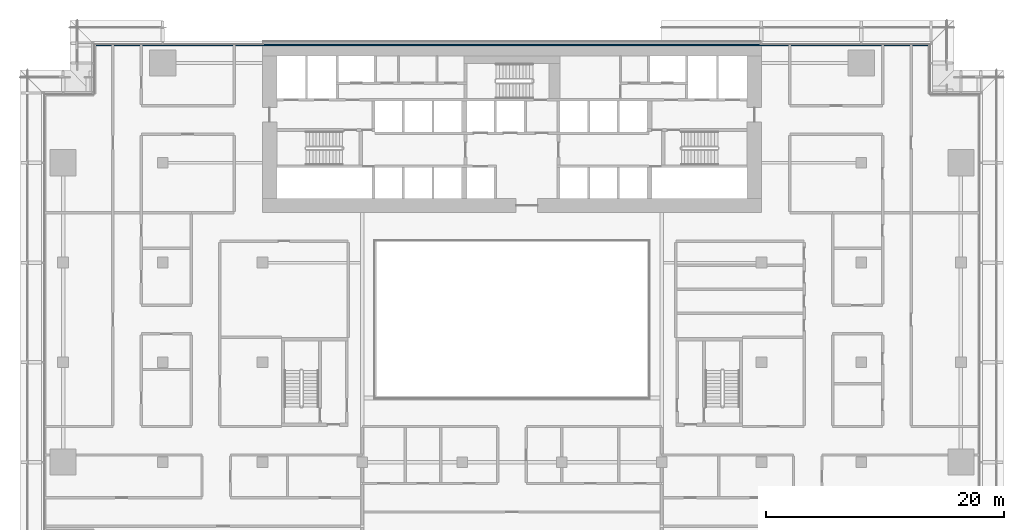
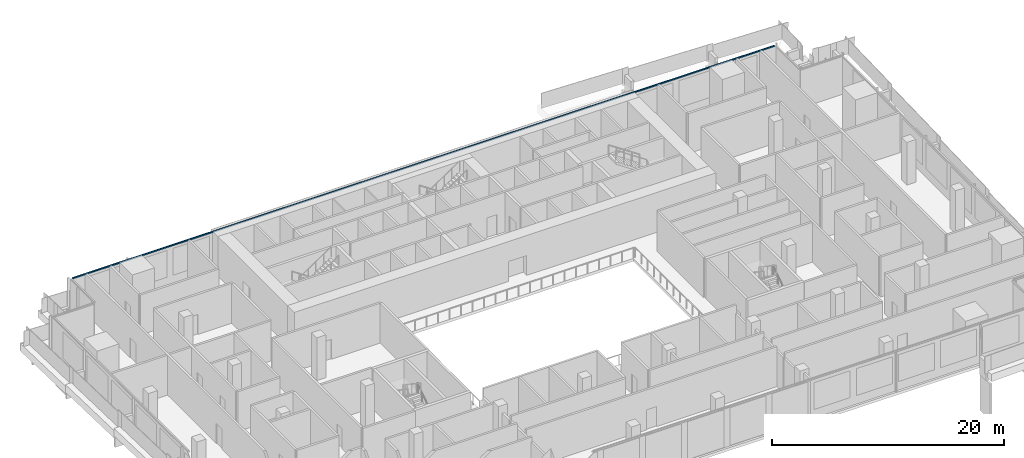
# One storey, part 7 of 23: 1 member, 1 element without a shape of its own.
"""IFC4 building model written with IfcOpenShell, lengths in metres."""

from ifc_helpers import new_model, si_unit, direction, frame, origin, origin_2d, place, context, subcontext, project, spatial, rectangle, extrude, material, material_profile, profile_set, type_object, element, aggregate, save


model = new_model("IFC4")

# Units and contexts
model_context = context("Model", 3, precision=1e-05, world=origin(), true_north=direction((0.0, 1.0)))
body_context = subcontext(model_context, "Body", "Model", "MODEL_VIEW")
ifc_project = project(units=[si_unit("LENGTHUNIT", "METRE"), si_unit("AREAUNIT", "SQUARE_METRE"), si_unit("VOLUMEUNIT", "CUBIC_METRE"), si_unit("PLANEANGLEUNIT", "RADIAN"), si_unit("MASSUNIT", "GRAM", prefix="KILO")], contexts=[model_context])

# Site, building, storey
site_placement = place(None, origin())
site = spatial("IfcSite", under=ifc_project, at=site_placement, CompositionType="ELEMENT")
building_placement = place(site_placement, origin())
building = spatial("IfcBuilding", under=site, at=building_placement, Name="Saffron Gate Tower", CompositionType="ELEMENT")
storey_placement = place(building_placement, frame((0.0, 0.0, 23.699951171875)))
storey = spatial("IfcBuildingStorey", under=building, at=storey_placement, Name="L04", CompositionType="ELEMENT", Elevation=23.699951171875)

# Curtain wall, member
ifc_material = material(Name="Aluminium, bronze anodised", Category="aluminium")
curtain_wall_type = type_object("IfcCurtainWallType", Name="CWS6 curtain wall tall storeys", PredefinedType="NOTDEFINED", material=ifc_material)
curtain_wall_placement = place(storey_placement, origin())
curtain_wall = element("IfcCurtainWall", 1, at=curtain_wall_placement, inside=storey, type_object=curtain_wall_type, Name="CWS6 run 7", PredefinedType="NOTDEFINED")
ifc_material_profile = material_profile(ifc_material, rectangle(XDim=0.1201171875, YDim=0.1201171875, at=origin_2d()))
ifc_profile_set = profile_set([ifc_material_profile], Name="Aluminium, bronze anodised")
member_type = type_object("IfcMemberType", Name="CWS6 head transom", PredefinedType="USERDEFINED", material=ifc_profile_set)
member_placement = place(storey_placement, frame((122.592041015625, 75.31201171875, 4.14013671875), z_axis=(-1.0, 0.0, 0.0), x_axis=(0.0, -1.0, 0.0)))
member = element("IfcMember", 2, at=member_placement, type_object=member_type, Name="CWS6 head transom", ObjectType="TRANSOM", PredefinedType="USERDEFINED", context=body_context, shape_type="SweptSolid", body=[
    extrude(rectangle(XDim=0.1201171875, YDim=0.1201171875, at=origin_2d()), origin(), (0.0, 0.0, 1.0), 69.984130859375),
])
aggregate(curtain_wall, [member])

save(model, "model.ifc")
